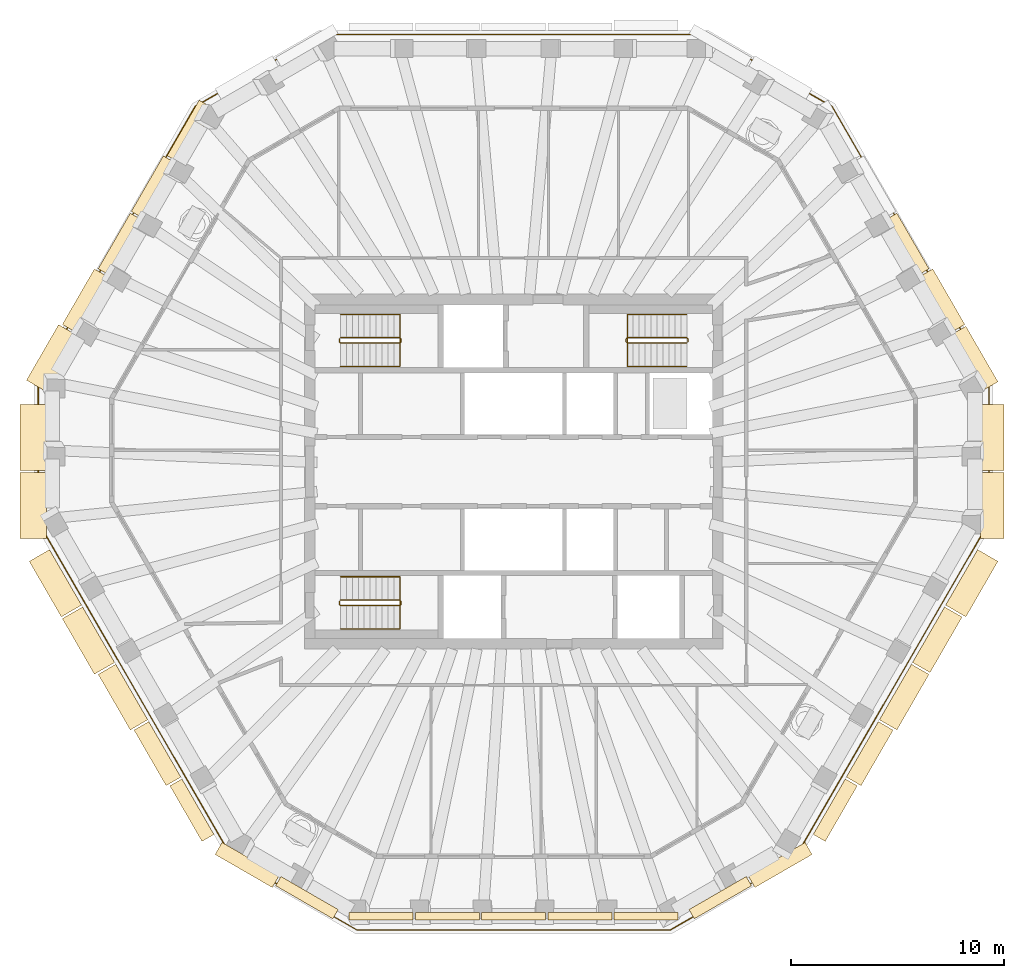
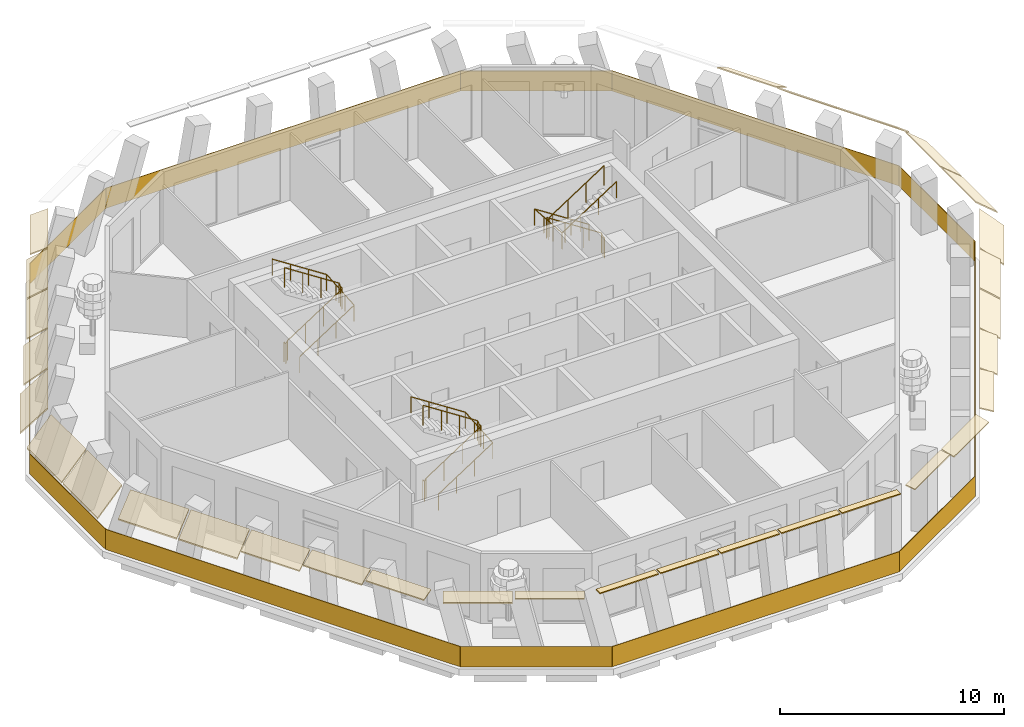
# One storey, part 8 of 11: 31 coverings, 7 railings.
"""IFC4 building model written with IfcOpenShell, lengths in metres."""

import ifcopenshell
import ifcopenshell.guid

model = None  # the IFC model being written
_history = None  # IfcOwnerHistory: only IFC2X3 demands one
_inside = {}  # id of a spatial element -> (the spatial element, [elements in it])
_under = {}  # id of a project, library or spatial element -> (it, [spatial elements below it])
_declared = {}  # id of a project -> (the project, [libraries it declares])
_typed = {}  # id of a type object -> (the type object, [elements of that type])
_made_of = {}  # id of a material, layer set ... -> (it, [elements and type objects made of it])


def new_model(schema):
    """Start an empty IFC model of exactly this schema.

    Asked for "IFC4X3", IfcOpenShell would pick the latest addendum, in which some entities
    have other attributes; the version numbers below select the first issue.
    IFC2X3 requires an IfcOwnerHistory on every rooted entity: one is made here for all.
    """
    global model, _history
    if schema == "IFC4X3":
        model = ifcopenshell.file(schema_version=(4, 3, 0, 0))
    else:
        model = ifcopenshell.file(schema=schema)
    _inside.clear()
    _under.clear()
    _declared.clear()
    _typed.clear()
    _made_of.clear()
    _history = None
    if model.schema == "IFC2X3":
        org = make("IfcOrganization", Name="unknown")
        user = make(
            "IfcPersonAndOrganization",
            ThePerson=make("IfcPerson", FamilyName="unknown"),
            TheOrganization=org,
        )
        app = make(
            "IfcApplication",
            ApplicationDeveloper=org,
            Version="unknown",
            ApplicationFullName="unknown",
            ApplicationIdentifier="unknown",
        )
        _history = make(
            "IfcOwnerHistory",
            OwningUser=user,
            OwningApplication=app,
            ChangeAction="ADDED",
            CreationDate=0,
        )
    return model


def make(cls, **values):
    """One entity of the class cls with the attributes given. An attribute that is None is left unset."""
    return model.create_entity(
        cls, **{name: value for name, value in values.items() if value is not None}
    )


def rooted(cls, **values):
    """An entity with a GlobalId (a new one), such as an element, a storey or a relation."""
    return make(cls, GlobalId=ifcopenshell.guid.new(), OwnerHistory=_history, **values)


def si_unit(unit_type, name, prefix=None):
    """IfcSIUnit, for example si_unit("LENGTHUNIT", "METRE", prefix="MILLI")."""
    return make("IfcSIUnit", UnitType=unit_type, Prefix=prefix, Name=name)


def assignment(units):
    """IfcUnitAssignment: the units of a project."""
    return None if units is None else make("IfcUnitAssignment", Units=units)


def point(xyz):
    """IfcCartesianPoint."""
    return None if xyz is None else make("IfcCartesianPoint", Coordinates=xyz)


def direction(xyz):
    """IfcDirection."""
    return None if xyz is None else make("IfcDirection", DirectionRatios=xyz)


def frame(location, z_axis=None, x_axis=None):
    """IfcAxis2Placement3D, a coordinate frame: its origin and axes. An axis left out is left unset."""
    return make(
        "IfcAxis2Placement3D",
        Location=point(location),
        Axis=direction(z_axis),
        RefDirection=direction(x_axis),
    )


def frame_2d(location, x_axis=None):
    """IfcAxis2Placement2D, a coordinate frame in the plane: its origin and x axis."""
    return make(
        "IfcAxis2Placement2D", Location=point(location), RefDirection=direction(x_axis)
    )


def origin():
    """The frame at (0, 0, 0) with its axes left unset."""
    return frame((0.0, 0.0, 0.0))


def origin_2d():
    """The frame at (0, 0) in the plane with its x axis left unset."""
    return frame_2d((0.0, 0.0))


def place(relative_to, where):
    """IfcLocalPlacement: puts the frame where relative to a parent placement (None: the world)."""
    return make(
        "IfcLocalPlacement", PlacementRelTo=relative_to, RelativePlacement=where
    )


def context(
    kind, dimensions, precision=None, world=None, true_north=None, identifier=None
):
    """IfcGeometricRepresentationContext, for example the 3D "Model" context."""
    return make(
        "IfcGeometricRepresentationContext",
        ContextIdentifier=identifier,
        ContextType=kind,
        CoordinateSpaceDimension=dimensions,
        Precision=precision,
        WorldCoordinateSystem=world,
        TrueNorth=true_north,
    )


def subcontext(parent, identifier, kind, view, scale=None):
    """IfcGeometricRepresentationSubContext, for example "Body" below "Model"."""
    return make(
        "IfcGeometricRepresentationSubContext",
        ContextIdentifier=identifier,
        ContextType=kind,
        ParentContext=parent,
        TargetScale=scale,
        TargetView=view,
    )


def project(units=None, contexts=None):
    """IfcProject with its units and contexts."""
    return rooted(
        "IfcProject",
        Name="project",
        RepresentationContexts=contexts,
        UnitsInContext=assignment(units),
    )


def spatial(cls, under=None, at=None, **own):
    """A site, building, storey or space (cls), placed at a placement, below another one or the project."""
    s = rooted(cls, ObjectPlacement=at, **own)
    if under is not None:
        _under.setdefault(under.id(), (under, []))[1].append(s)
    return s


def polyline(points):
    """IfcPolyline through the points."""
    return make("IfcPolyline", Points=[point(p) for p in points])


def profile(cls, at=None, kind="AREA", **sizes):
    """A parametric profile (cls). Its sizes go by their IFC names, for example OverallWidth=200.0."""
    return make(cls, ProfileType=kind, Position=at, **sizes)


def rectangle(**sizes):
    """IfcRectangleProfileDef."""
    return profile("IfcRectangleProfileDef", **sizes)


def circle(**sizes):
    """IfcCircleProfileDef."""
    return profile("IfcCircleProfileDef", **sizes)


def outline(outer, holes=None, kind="AREA"):
    """IfcArbitraryClosedProfileDef: a profile drawn as a closed curve; with holes, ...WithVoids."""
    if holes is None:
        return make("IfcArbitraryClosedProfileDef", ProfileType=kind, OuterCurve=outer)
    return make(
        "IfcArbitraryProfileDefWithVoids",
        ProfileType=kind,
        OuterCurve=outer,
        InnerCurves=holes,
    )


def extrude(swept, where, along, depth):
    """IfcExtrudedAreaSolid: the profile swept, set in the frame where, extruded along a direction by depth."""
    return make(
        "IfcExtrudedAreaSolid",
        SweptArea=swept,
        Position=where,
        ExtrudedDirection=direction(along),
        Depth=depth,
    )


def shape(context_of_items, identifier, shape_type, items):
    """IfcShapeRepresentation: the items that make up one representation, for example the "Body"."""
    return make(
        "IfcShapeRepresentation",
        ContextOfItems=context_of_items,
        RepresentationIdentifier=identifier,
        RepresentationType=shape_type,
        Items=items,
    )


def material(Name=None, Category=None):
    """IfcMaterial."""
    return make("IfcMaterial", Name=Name, Category=Category)


def layer(
    of_material, thickness, ventilated=None, Name=None, Category=None, Priority=None
):
    """IfcMaterialLayer: one layer of a wall or slab, of a material (None: an air gap)."""
    return make(
        "IfcMaterialLayer",
        Material=of_material,
        LayerThickness=thickness,
        IsVentilated=ventilated,
        Name=Name,
        Category=Category,
        Priority=Priority,
    )


def layer_set(layers, Name=None):
    """IfcMaterialLayerSet."""
    return make("IfcMaterialLayerSet", MaterialLayers=layers, LayerSetName=Name)


def made_of(thing, what):
    """Note that an element or type object is made of a material, layer set ...; save() writes the relation."""
    if what is not None:
        _made_of.setdefault(what.id(), (what, []))[1].append(thing)
    return thing


def type_object(cls, material=None, **own):
    """A type object (cls), such as IfcWallType, which elements share."""
    return made_of(rooted(cls, **own), material)


def element(
    cls,
    number,
    at=None,
    inside=None,
    cuts=None,
    type_object=None,
    material=None,
    context=None,
    identifier="Body",
    shape_type=None,
    held_by="IfcProductDefinitionShape",
    body=None,
    shapes=None,
    **own,
):
    """One element of the class cls, such as IfcWall. Its Tag is "e" and its number.

    at: its placement. inside: the storey or other place that contains it. cuts: it is an
    opening in that element (IfcRelVoidsElement). A single representation is given by context,
    identifier, shape_type and body (its items); several are given by shapes. held_by: the class
    of the entity that holds the representations. save() writes the other relations.
    """
    e = rooted(cls, Tag="e%d" % number, ObjectPlacement=at, **own)
    if body is not None:
        shapes = [shape(context, identifier, shape_type, body)]
    if shapes is not None:
        e.Representation = make(held_by, Representations=shapes)
    if inside is not None:
        _inside.setdefault(inside.id(), (inside, []))[1].append(e)
    if cuts is not None:
        rooted(
            "IfcRelVoidsElement", RelatingBuildingElement=cuts, RelatedOpeningElement=e
        )
    if type_object is not None:
        _typed.setdefault(type_object.id(), (type_object, []))[1].append(e)
    return made_of(e, material)


def aggregate(whole, parts):
    """IfcRelAggregates: a whole, such as a stair, and the parts it consists of."""
    return rooted("IfcRelAggregates", RelatingObject=whole, RelatedObjects=parts)


def save(model, path):
    """Write the relations noted so far, then the file.

    IfcRelAggregates (storeys below a building ...), IfcRelContainedInSpatialStructure (elements
    in a storey), IfcRelDefinesByType, IfcRelAssociatesMaterial and IfcRelDeclares: one each for
    every whole, place, type object, material and project.
    """
    for whole, parts in _under.values():
        aggregate(whole, parts)
    for where, things in _inside.values():
        rooted(
            "IfcRelContainedInSpatialStructure",
            RelatedElements=things,
            RelatingStructure=where,
        )
    for kind, things in _typed.values():
        rooted("IfcRelDefinesByType", RelatedObjects=things, RelatingType=kind)
    for what, things in _made_of.values():
        rooted("IfcRelAssociatesMaterial", RelatedObjects=things, RelatingMaterial=what)
    for by, libraries in _declared.values():
        rooted("IfcRelDeclares", RelatingContext=by, RelatedDefinitions=libraries)
    model.write(path)


model = new_model("IFC4")

# Units and contexts
model_context = context("Model", 3, precision=1e-05, world=origin(), true_north=direction((0.0, 1.0)))
body_context = subcontext(model_context, "Body", "Model", "MODEL_VIEW")
ifc_project = project(units=[si_unit("LENGTHUNIT", "METRE"), si_unit("AREAUNIT", "SQUARE_METRE"), si_unit("VOLUMEUNIT", "CUBIC_METRE"), si_unit("PLANEANGLEUNIT", "RADIAN"), si_unit("MASSUNIT", "GRAM", prefix="KILO")], contexts=[model_context])

# Site, building, storey
site_placement = place(None, origin())
site = spatial("IfcSite", under=ifc_project, at=site_placement, CompositionType="ELEMENT")
building_placement = place(site_placement, origin())
building = spatial("IfcBuilding", under=site, at=building_placement, Name="Frailejon Research Tower", CompositionType="ELEMENT")
storey_placement = place(building_placement, frame((0.0, 0.0, 340.60009765625)))
storey = spatial("IfcBuildingStorey", under=building, at=storey_placement, Name="L76", CompositionType="ELEMENT", Elevation=340.60009765625)

# Coverings
ifc_material_1 = material(Name="Precast concrete C50/60", Category="concrete")
ifc_layer_1 = layer(ifc_material_1, 0.06005859375)
ifc_layer_set_1 = layer_set([ifc_layer_1], Name="Brim blade depth 1100")
covering_type_1 = type_object("IfcCoveringType", Name="Brim blade depth 1100", PredefinedType="CLADDING", material=ifc_layer_set_1)
for number, where, z_axis, x_axis, name in (
    (1, (21.9775390625, -0.050048828125, 3.849853515625), (0.0, -1.0, 0.0), (1.0, 0.0, 0.0), "Brim blade L76"),
    (2, (21.9775390625, 3.156005859375, 3.849853515625), (0.0, -1.0, 0.0), (1.0, 0.0, 0.0), "Brim blade L76"),
):
    element("IfcCovering", number, at=place(storey_placement, frame(where, z_axis=z_axis, x_axis=x_axis)), inside=storey, type_object=covering_type_1, Name=name, PredefinedType="CLADDING", context=body_context, shape_type="SweptSolid", body=[
        extrude(outline(polyline([(0.0, -0.078369140625), (1.10009765625, -1.001220703125), (1.10009765625, -0.923095703125), (0.0, 0.0), (0.0, -0.078369140625)])), origin(), (0.0, 0.0, 1.0), 3.106201171875),
    ])
for number, where, z_axis, x_axis, name in (
    (3, (20.331298828125, 6.285400390625, 3.849853515625), (0.499999433811, -0.866025730673, 0.0), (0.866025730673, 0.499999433811, 0.0), "Brim blade L76"),
    (4, (18.773681640625, 8.98291015625, 3.849853515625), (0.500009610163, -0.866019855283, 0.0), (0.866019855283, 0.500009610163, 0.0), "Brim blade L76"),
    (5, (-20.28125, 6.371826171875, 3.849853515625), (0.500009610163, 0.866019855283, 0.0), (-0.866019855283, 0.500009610163, 0.0), "Brim blade L76"),
    (6, (-20.331298828125, -6.285400390625, 3.849853515625), (-0.499999433811, 0.866025730673, 0.0), (-0.866025730673, -0.499999433811, 0.0), "Brim blade L76"),
    (7, (-18.773681640625, -8.98291015625, 3.849853515625), (-0.500009610163, 0.866019855283, 0.0), (-0.866019855283, -0.500009610163, 0.0), "Brim blade L76"),
    (8, (21.838623046875, -3.67431640625, 3.849853515625), (-0.499999433811, -0.866025730673, 0.0), (0.866025730673, -0.499999433811, 0.0), "Brim blade L76"),
):
    element("IfcCovering", number, at=place(storey_placement, frame(where, z_axis=z_axis, x_axis=x_axis)), inside=storey, type_object=covering_type_1, Name=name, PredefinedType="CLADDING", context=body_context, shape_type="SweptSolid", body=[
        extrude(outline(polyline([(0.0, -0.078369140625), (1.10009765625, -1.001220703125), (1.10009765625, -0.923095703125), (0.0, 0.0), (0.0, -0.078369140625)])), origin(), (0.0, 0.0, 1.0), 3.014892578125),
    ])
ifc_material_2 = material(Name="Precast concrete C50/60", Category="concrete")
ifc_layer_2 = layer(ifc_material_2, 0.06005859375)
ifc_layer_set_2 = layer_set([ifc_layer_2], Name="Brim blade depth 1250")
covering_type_2 = type_object("IfcCoveringType", Name="Brim blade depth 1250", PredefinedType="CLADDING", material=ifc_layer_set_2)
covering_1_placement = place(storey_placement, frame((-21.838623046875, 3.67431640625, 3.849853515625), z_axis=(0.499999433811, 0.866025730673, 0.0), x_axis=(-0.866025730673, 0.499999433811, 0.0)))
element("IfcCovering", 9, at=covering_1_placement, inside=storey, type_object=covering_type_2, Name="Brim blade L76", PredefinedType="CLADDING", context=body_context, shape_type="SweptSolid", body=[
    extrude(outline(polyline([(0.0, -0.0888671875), (1.25, -1.452880859375), (1.25, -1.364013671875), (0.0, 0.0), (0.0, -0.0888671875)])), origin(), (0.0, 0.0, 1.0), 3.014892578125),
])
for number, where, z_axis, x_axis, name in (
    (10, (-21.9775390625, 0.050048828125, 3.849853515625), (0.0, 1.0, 0.0), (-1.0, 0.0, 0.0), "Brim blade L76"),
    (11, (-21.9775390625, -3.156005859375, 3.849853515625), (0.0, 1.0, 0.0), (-1.0, 0.0, 0.0), "Brim blade L76"),
):
    element("IfcCovering", number, at=place(storey_placement, frame(where, z_axis=z_axis, x_axis=x_axis)), inside=storey, type_object=covering_type_2, Name=name, PredefinedType="CLADDING", context=body_context, shape_type="SweptSolid", body=[
        extrude(outline(polyline([(0.0, -0.0888671875), (1.25, -1.452880859375), (1.25, -1.364013671875), (0.0, 0.0), (0.0, -0.0888671875)])), origin(), (0.0, 0.0, 1.0), 3.106201171875),
    ])
ifc_material_3 = material(Name="Precast concrete C50/60", Category="concrete")
ifc_layer_3 = layer(ifc_material_3, 0.06005859375)
ifc_layer_set_3 = layer_set([ifc_layer_3], Name="Brim blade depth 350")
covering_type_3 = type_object("IfcCoveringType", Name="Brim blade depth 350", PredefinedType="CLADDING", material=ifc_layer_set_3)
for number, where, z_axis, x_axis, name in (
    (12, (-4.722412109375, -20.75, 3.849853515625), (-1.0, 0.0, 0.0), (0.0, -1.0, 0.0), "Brim blade L76"),
    (13, (-1.607421875, -20.75, 3.849853515625), (-1.0, 0.0, 0.0), (0.0, -1.0, 0.0), "Brim blade L76"),
    (14, (1.50732421875, -20.75, 3.849853515625), (-1.0, 0.0, 0.0), (0.0, -1.0, 0.0), "Brim blade L76"),
    (15, (4.622314453125, -20.75, 3.849853515625), (-1.0, 0.0, 0.0), (0.0, -1.0, 0.0), "Brim blade L76"),
    (16, (7.7373046875, -20.75, 3.849853515625), (-1.0, 0.0, 0.0), (0.0, -1.0, 0.0), "Brim blade L76"),
):
    element("IfcCovering", number, at=place(storey_placement, frame(where, z_axis=z_axis, x_axis=x_axis)), inside=storey, type_object=covering_type_3, Name=name, PredefinedType="CLADDING", context=body_context, shape_type="SweptSolid", body=[
        extrude(outline(polyline([(0.0, -0.06005859375), (0.35009765625, -0.06005859375), (0.35009765625, 0.0), (0.0, 0.0), (0.0, -0.06005859375)])), origin(), (0.0, 0.0, 1.0), 3.014892578125),
    ])
ifc_material_4 = material(Name="Precast concrete C50/60", Category="concrete")
ifc_layer_4 = layer(ifc_material_4, 0.06005859375)
ifc_layer_set_4 = layer_set([ifc_layer_4], Name="Brim blade depth 500")
covering_type_4 = type_object("IfcCoveringType", Name="Brim blade depth 500", PredefinedType="CLADDING", material=ifc_layer_set_4)
for number, where, z_axis, x_axis, name in (
    (17, (-8.255615234375, -20.611083984375, 3.849853515625), (-0.866034959906, 0.499983447946, 0.0), (-0.499983447946, -0.866034959906, 0.0), "Brim blade L76"),
    (18, (10.945556640625, -19.05810546875, 3.849853515625), (-0.866034959906, -0.499983447946, 0.0), (0.499983447946, -0.866034959906, 0.0), "Brim blade L76"),
):
    element("IfcCovering", number, at=place(storey_placement, frame(where, z_axis=z_axis, x_axis=x_axis)), inside=storey, type_object=covering_type_4, Name=name, PredefinedType="CLADDING", context=body_context, shape_type="SweptSolid", body=[
        extrude(outline(polyline([(0.0, -0.060546875), (0.5, -0.130859375), (0.5, -0.0703125), (0.0, 0.0), (0.0, -0.060546875)])), origin(), (0.0, 0.0, 1.0), 3.106201171875),
    ])
ifc_material_5 = material(Name="Precast concrete C50/60", Category="concrete")
ifc_layer_5 = layer(ifc_material_5, 0.06005859375)
ifc_layer_set_5 = layer_set([ifc_layer_5], Name="Brim blade depth 650")
covering_type_5 = type_object("IfcCoveringType", Name="Brim blade depth 650", PredefinedType="CLADDING", material=ifc_layer_set_5)
covering_2_placement = place(storey_placement, frame((-14.101318359375, -17.07568359375, 3.849853515625), z_axis=(-0.499999433811, 0.866025730673, 0.0), x_axis=(-0.866025730673, -0.499999433811, 0.0)))
element("IfcCovering", 19, at=covering_2_placement, inside=storey, type_object=covering_type_5, Name="Brim blade L76", PredefinedType="CLADDING", context=body_context, shape_type="SweptSolid", body=[
    extrude(outline(polyline([(0.0, -0.0625), (0.64990234375, -0.248779296875), (0.64990234375, -0.186279296875), (0.0, 0.0), (0.0, -0.0625)])), origin(), (0.0, 0.0, 1.0), 3.014892578125),
])
for number, where, z_axis, x_axis, name in (
    (20, (-11.031982421875, -19.008056640625, 3.849853515625), (-0.86601365609, 0.500020347052, 0.0), (-0.500020347052, -0.86601365609, 0.0), "Brim blade L76"),
    (21, (13.721923828125, -17.455078125, 3.849853515625), (-0.86601365609, -0.500020347052, 0.0), (0.500020347052, -0.86601365609, 0.0), "Brim blade L76"),
):
    element("IfcCovering", number, at=place(storey_placement, frame(where, z_axis=z_axis, x_axis=x_axis)), inside=storey, type_object=covering_type_5, Name=name, PredefinedType="CLADDING", context=body_context, shape_type="SweptSolid", body=[
        extrude(outline(polyline([(0.0, -0.0625), (0.64990234375, -0.248779296875), (0.64990234375, -0.186279296875), (0.0, 0.0), (0.0, -0.0625)])), origin(), (0.0, 0.0, 1.0), 3.106201171875),
    ])
covering_3_placement = place(storey_placement, frame((15.60888671875, -14.464599609375, 3.849853515625), z_axis=(-0.499999433811, -0.866025730673, 0.0), x_axis=(0.866025730673, -0.499999433811, 0.0)))
element("IfcCovering", 22, at=covering_3_placement, inside=storey, type_object=covering_type_5, Name="Brim blade L76", PredefinedType="CLADDING", context=body_context, shape_type="SweptSolid", body=[
    extrude(outline(polyline([(0.0, -0.0625), (0.64990234375, -0.248779296875), (0.64990234375, -0.186279296875), (0.0, 0.0), (0.0, -0.0625)])), origin(), (0.0, 0.0, 1.0), 3.014892578125),
])
ifc_material_6 = material(Name="Precast concrete C50/60", Category="concrete")
ifc_layer_6 = layer(ifc_material_6, 0.06005859375)
ifc_layer_set_6 = layer_set([ifc_layer_6], Name="Brim blade depth 800")
covering_type_6 = type_object("IfcCoveringType", Name="Brim blade depth 800", PredefinedType="CLADDING", material=ifc_layer_set_6)
for number, where, z_axis, x_axis, name in (
    (23, (-15.60888671875, 14.464599609375, 3.849853515625), (0.499999433811, 0.866025730673, 0.0), (-0.866025730673, 0.499999433811, 0.0), "Brim blade L76"),
    (24, (-15.65869140625, -14.378173828125, 3.849853515625), (-0.500009610163, 0.866019855283, 0.0), (-0.866019855283, -0.500009610163, 0.0), "Brim blade L76"),
    (25, (17.166259765625, -11.76708984375, 3.849853515625), (-0.500009610163, -0.866019855283, 0.0), (0.866019855283, -0.500009610163, 0.0), "Brim blade L76"),
):
    element("IfcCovering", number, at=place(storey_placement, frame(where, z_axis=z_axis, x_axis=x_axis)), inside=storey, type_object=covering_type_6, Name=name, PredefinedType="CLADDING", context=body_context, shape_type="SweptSolid", body=[
        extrude(outline(polyline([(0.0, -0.065673828125), (0.800048828125, -0.421875), (0.800048828125, -0.356201171875), (0.0, 0.0), (0.0, -0.065673828125)])), origin(), (0.0, 0.0, 1.0), 3.014892578125),
    ])
ifc_material_7 = material(Name="Precast concrete C50/60", Category="concrete")
ifc_layer_7 = layer(ifc_material_7, 0.06005859375)
ifc_layer_set_7 = layer_set([ifc_layer_7], Name="Brim blade depth 950")
covering_type_7 = type_object("IfcCoveringType", Name="Brim blade depth 950", PredefinedType="CLADDING", material=ifc_layer_set_7)
for number, where, z_axis, x_axis, name in (
    (26, (17.21630859375, 11.680419921875, 3.849853515625), (0.499985532315, -0.866033756545, 0.0), (0.866033756545, 0.499985532315, 0.0), "Brim blade L76"),
    (27, (-17.166259765625, 11.76708984375, 3.849853515625), (0.500009610163, 0.866019855283, 0.0), (-0.866019855283, 0.500009610163, 0.0), "Brim blade L76"),
    (28, (-18.7236328125, 9.069580078125, 3.849853515625), (0.499985532315, 0.866033756545, 0.0), (-0.866033756545, 0.499985532315, 0.0), "Brim blade L76"),
    (29, (-17.21630859375, -11.680419921875, 3.849853515625), (-0.499985532315, 0.866033756545, 0.0), (-0.866033756545, -0.499985532315, 0.0), "Brim blade L76"),
    (30, (18.7236328125, -9.069580078125, 3.849853515625), (-0.499985532315, -0.866033756545, 0.0), (0.866033756545, -0.499985532315, 0.0), "Brim blade L76"),
    (31, (20.28125, -6.371826171875, 3.849853515625), (-0.500009610163, -0.866019855283, 0.0), (0.866019855283, -0.500009610163, 0.0), "Brim blade L76"),
):
    element("IfcCovering", number, at=place(storey_placement, frame(where, z_axis=z_axis, x_axis=x_axis)), inside=storey, type_object=covering_type_7, Name=name, PredefinedType="CLADDING", context=body_context, shape_type="SweptSolid", body=[
        extrude(outline(polyline([(0.0, -0.07080078125), (0.949951171875, -0.664306640625), (0.949951171875, -0.593505859375), (0.0, 0.0), (0.0, -0.07080078125)])), origin(), (0.0, 0.0, 1.0), 3.014892578125),
    ])

# Railings
ifc_material_8 = material(Name="Laminated glass balustrade", Category="glass")
railing_type_1 = type_object("IfcRailingType", Name="Glass guard 1100", PredefinedType="GUARDRAIL", material=ifc_material_8)
railing_1_placement = place(storey_placement, frame((22.369140625, -2.377685546875, 0.0)))
element("IfcRailing", 32, at=railing_1_placement, inside=storey, type_object=railing_type_1, Name="Loggia guard L76", PredefinedType="GUARDRAIL", context=body_context, shape_type="SweptSolid", body=[
    extrude(rectangle(XDim=6.7666015625, YDim=0.030029296875, at=origin_2d()), frame((0.0, 3.38330078125, 0.0), z_axis=(0.0, 0.0, 1.0), x_axis=(0.0, 1.0, 0.0)), (0.0, 0.0, 1.0), 1.10009765625),
    extrude(rectangle(XDim=14.767333984375, YDim=0.030029296875, at=origin_2d()), frame((-3.69189453125, 13.1611328125, 0.0), z_axis=(0.0, 0.0, 1.0), x_axis=(-0.499988636, 0.866031964693, 0.0)), (0.0, 0.0, 1.0), 1.10009765625),
    extrude(rectangle(XDim=6.7666015625, YDim=0.030029296875, at=origin_2d()), frame((-10.3134765625, 21.2470703125, 0.0), z_axis=(0.0, 0.0, 1.0), x_axis=(-0.866043190618, 0.499969191034, 0.0)), (0.0, 0.0, 1.0), 1.10009765625),
    extrude(rectangle(XDim=18.2509765625, YDim=0.030029296875, at=origin_2d()), frame((-22.369140625, 22.938720703125, 0.0), z_axis=(0.0, 0.0, 1.0), x_axis=(-1.0, 0.0, 0.0)), (0.0, 0.0, 1.0), 1.10009765625),
    extrude(rectangle(XDim=6.7666015625, YDim=0.030029296875, at=origin_2d()), frame((-34.4248046875, 21.2470703125, 0.0), z_axis=(0.0, 0.0, 1.0), x_axis=(-0.866043190618, -0.499969191034, 0.0)), (0.0, 0.0, 1.0), 1.10009765625),
    extrude(rectangle(XDim=14.767333984375, YDim=0.030029296875, at=origin_2d()), frame((-41.04638671875, 13.1611328125, 0.0), z_axis=(0.0, 0.0, 1.0), x_axis=(-0.499988636, -0.866031964693, 0.0)), (0.0, 0.0, 1.0), 1.10009765625),
    extrude(rectangle(XDim=6.7666015625, YDim=0.030029296875, at=origin_2d()), frame((-44.73828125, 3.38330078125, 0.0), z_axis=(0.0, 0.0, 1.0), x_axis=(0.0, -1.0, 0.0)), (0.0, 0.0, 1.0), 1.10009765625),
    extrude(rectangle(XDim=18.2509765625, YDim=0.030029296875, at=origin_2d()), frame((-40.175537109375, -7.90283203125, 0.0), z_axis=(0.0, 0.0, 1.0), x_axis=(0.499997654603, -0.866026757896, 0.0)), (0.0, 0.0, 1.0), 1.10009765625),
    extrude(rectangle(XDim=6.766357421875, YDim=0.030029296875, at=origin_2d()), frame((-32.682861328125, -17.49755859375, 0.0), z_axis=(0.0, 0.0, 1.0), x_axis=(0.866018547471, -0.500011875296, 0.0)), (0.0, 0.0, 1.0), 1.10009765625),
    extrude(rectangle(XDim=14.767578125, YDim=0.030029296875, at=origin_2d()), frame((-22.369140625, -19.189208984375, 0.0), z_axis=(0.0, 0.0, 1.0), x_axis=(1.0, 0.0, 0.0)), (0.0, 0.0, 1.0), 1.10009765625),
    extrude(rectangle(XDim=6.766357421875, YDim=0.030029296875, at=origin_2d()), frame((-12.055419921875, -17.49755859375, 0.0), z_axis=(0.0, 0.0, 1.0), x_axis=(0.866018547471, 0.500011875296, 0.0)), (0.0, 0.0, 1.0), 1.10009765625),
    extrude(rectangle(XDim=18.18115234375, YDim=0.030029296875, at=origin_2d()), frame((-4.580078125, -7.93310546875, 0.0), z_axis=(0.0, 0.0, 1.0), x_axis=(0.499999487269, 0.86602569981, 0.0)), (0.0, 0.0, 1.0), 1.10009765625),
])
ifc_material_9 = material(Name="Stainless steel", Category="steel")
railing_type_2 = type_object("IfcRailingType", Name="Stair guard 1100", PredefinedType="GUARDRAIL", material=ifc_material_9)
railing_2_placement = place(storey_placement, frame((-8.199951171875, 6.25, 0.0)))
element("IfcRailing", 33, at=railing_2_placement, inside=storey, type_object=railing_type_2, Name="L76 ST1 stair guard 1", PredefinedType="GUARDRAIL", context=body_context, shape_type="SweptSolid", body=[
    extrude(circle(Radius=0.02392578125, at=origin_2d()), frame((0.0, 0.0, 1.076171875), z_axis=(0.0, -1.0, 0.0), x_axis=(1.0, 0.0, 0.0)), (0.0, 0.0, 1.0), 0.14990234375),
    extrude(circle(Radius=0.02392578125, at=origin_2d()), frame((0.0, -0.14990234375, 1.076171875), z_axis=(0.256734642926, -0.256734642926, 0.931758899203), x_axis=(0.707106781187, 0.707106781187, 0.0)), (0.0, 0.0, 1.0), 0.19482421875),
    extrude(circle(Radius=0.02392578125, at=origin_2d()), frame((0.050048828125, -0.199951171875, 1.2578125), z_axis=(0.838650734948, 0.0, 0.544669573936), x_axis=(0.0, 1.0, 0.0)), (0.0, 0.0, 1.0), 3.33837890625),
    extrude(circle(Radius=0.02392578125, at=origin_2d()), frame((2.849853515625, -0.199951171875, 3.076171875), z_axis=(0.707106781187, 0.707106781187, 0.0), x_axis=(-0.707106781187, 0.707106781187, 0.0)), (0.0, 0.0, 1.0), 0.07080078125),
    extrude(circle(Radius=0.02392578125, at=origin_2d()), frame((2.89990234375, -0.14990234375, 3.076171875), z_axis=(0.0, 1.0, 0.0), x_axis=(-1.0, 0.0, 0.0)), (0.0, 0.0, 1.0), 0.14990234375),
    extrude(circle(Radius=0.02392578125, at=origin_2d()), frame((2.89990234375, 0.0, 3.076171875), z_axis=(-0.256734642926, 0.256734642926, 0.931758899203), x_axis=(-0.707106781187, -0.707106781187, 0.0)), (0.0, 0.0, 1.0), 0.19482421875),
    extrude(circle(Radius=0.02392578125, at=origin_2d()), frame((2.849853515625, 0.050048828125, 3.2578125), z_axis=(-0.838650734948, 0.0, 0.544669573936), x_axis=(0.0, -1.0, 0.0)), (0.0, 0.0, 1.0), 3.33837890625),
    extrude(circle(Radius=0.02099609375, at=origin_2d()), origin(), (0.0, 0.0, 1.0), 1.052001953125),
    extrude(circle(Radius=0.02099609375, at=origin_2d()), frame((0.0, -0.14990234375, 0.0)), (0.0, 0.0, 1.0), 1.052001953125),
    extrude(circle(Radius=0.02099609375, at=origin_2d()), frame((0.050048828125, -0.199951171875, 0.181640625)), (0.0, 0.0, 1.0), 1.052001953125),
    extrude(circle(Radius=0.02099609375, at=origin_2d()), frame((0.9833984375, -0.199951171875, 0.787841796875)), (0.0, 0.0, 1.0), 1.052001953125),
    extrude(circle(Radius=0.02099609375, at=origin_2d()), frame((1.91650390625, -0.199951171875, 1.393798828125)), (0.0, 0.0, 1.0), 1.052001953125),
    extrude(circle(Radius=0.02099609375, at=origin_2d()), frame((2.849853515625, -0.199951171875, 2.0)), (0.0, 0.0, 1.0), 1.052001953125),
    extrude(circle(Radius=0.02099609375, at=origin_2d()), frame((2.89990234375, -0.14990234375, 2.0)), (0.0, 0.0, 1.0), 1.052001953125),
    extrude(circle(Radius=0.02099609375, at=origin_2d()), frame((2.89990234375, 0.0, 2.0)), (0.0, 0.0, 1.0), 1.052001953125),
    extrude(circle(Radius=0.02099609375, at=origin_2d()), frame((2.849853515625, 0.050048828125, 2.181640625)), (0.0, 0.0, 1.0), 1.052001953125),
    extrude(circle(Radius=0.02099609375, at=origin_2d()), frame((1.91650390625, 0.050048828125, 2.787841796875)), (0.0, 0.0, 1.0), 1.052001953125),
    extrude(circle(Radius=0.02099609375, at=origin_2d()), frame((0.9833984375, 0.050048828125, 3.393798828125)), (0.0, 0.0, 1.0), 1.052001953125),
    extrude(circle(Radius=0.02099609375, at=origin_2d()), frame((0.050048828125, 0.050048828125, 4.0)), (0.0, 0.0, 1.0), 1.052001953125),
])
railing_3_placement = place(storey_placement, frame((-8.199951171875, -6.10009765625, 0.0)))
element("IfcRailing", 34, at=railing_3_placement, inside=storey, type_object=railing_type_2, Name="L76 ST2 stair guard 1", PredefinedType="GUARDRAIL", context=body_context, shape_type="SweptSolid", body=[
    extrude(circle(Radius=0.02392578125, at=origin_2d()), frame((0.0, 0.0, 1.076171875), z_axis=(0.0, -1.0, 0.0), x_axis=(1.0, 0.0, 0.0)), (0.0, 0.0, 1.0), 0.14990234375),
    extrude(circle(Radius=0.02392578125, at=origin_2d()), frame((0.0, -0.14990234375, 1.076171875), z_axis=(0.256734642926, -0.256734642926, 0.931758899203), x_axis=(0.707106781187, 0.707106781187, 0.0)), (0.0, 0.0, 1.0), 0.19482421875),
    extrude(circle(Radius=0.02392578125, at=origin_2d()), frame((0.050048828125, -0.199951171875, 1.2578125), z_axis=(0.838650734948, 0.0, 0.544669573936), x_axis=(0.0, 1.0, 0.0)), (0.0, 0.0, 1.0), 3.33837890625),
    extrude(circle(Radius=0.02392578125, at=origin_2d()), frame((2.849853515625, -0.199951171875, 3.076171875), z_axis=(0.707106781187, 0.707106781187, 0.0), x_axis=(-0.707106781187, 0.707106781187, 0.0)), (0.0, 0.0, 1.0), 0.07080078125),
    extrude(circle(Radius=0.02392578125, at=origin_2d()), frame((2.89990234375, -0.14990234375, 3.076171875), z_axis=(0.0, 1.0, 0.0), x_axis=(-1.0, 0.0, 0.0)), (0.0, 0.0, 1.0), 0.14990234375),
    extrude(circle(Radius=0.02392578125, at=origin_2d()), frame((2.89990234375, 0.0, 3.076171875), z_axis=(-0.256734642926, 0.256734642926, 0.931758899203), x_axis=(-0.707106781187, -0.707106781187, 0.0)), (0.0, 0.0, 1.0), 0.19482421875),
    extrude(circle(Radius=0.02392578125, at=origin_2d()), frame((2.849853515625, 0.050048828125, 3.2578125), z_axis=(-0.838650734948, 0.0, 0.544669573936), x_axis=(0.0, -1.0, 0.0)), (0.0, 0.0, 1.0), 3.33837890625),
    extrude(circle(Radius=0.02099609375, at=origin_2d()), origin(), (0.0, 0.0, 1.0), 1.052001953125),
    extrude(circle(Radius=0.02099609375, at=origin_2d()), frame((0.0, -0.14990234375, 0.0)), (0.0, 0.0, 1.0), 1.052001953125),
    extrude(circle(Radius=0.02099609375, at=origin_2d()), frame((0.050048828125, -0.199951171875, 0.181640625)), (0.0, 0.0, 1.0), 1.052001953125),
    extrude(circle(Radius=0.02099609375, at=origin_2d()), frame((0.9833984375, -0.199951171875, 0.787841796875)), (0.0, 0.0, 1.0), 1.052001953125),
    extrude(circle(Radius=0.02099609375, at=origin_2d()), frame((1.91650390625, -0.199951171875, 1.393798828125)), (0.0, 0.0, 1.0), 1.052001953125),
    extrude(circle(Radius=0.02099609375, at=origin_2d()), frame((2.849853515625, -0.199951171875, 2.0)), (0.0, 0.0, 1.0), 1.052001953125),
    extrude(circle(Radius=0.02099609375, at=origin_2d()), frame((2.89990234375, -0.14990234375, 2.0)), (0.0, 0.0, 1.0), 1.052001953125),
    extrude(circle(Radius=0.02099609375, at=origin_2d()), frame((2.89990234375, 0.0, 2.0)), (0.0, 0.0, 1.0), 1.052001953125),
    extrude(circle(Radius=0.02099609375, at=origin_2d()), frame((2.849853515625, 0.050048828125, 2.181640625)), (0.0, 0.0, 1.0), 1.052001953125),
    extrude(circle(Radius=0.02099609375, at=origin_2d()), frame((1.91650390625, 0.050048828125, 2.787841796875)), (0.0, 0.0, 1.0), 1.052001953125),
    extrude(circle(Radius=0.02099609375, at=origin_2d()), frame((0.9833984375, 0.050048828125, 3.393798828125)), (0.0, 0.0, 1.0), 1.052001953125),
    extrude(circle(Radius=0.02099609375, at=origin_2d()), frame((0.050048828125, 0.050048828125, 4.0)), (0.0, 0.0, 1.0), 1.052001953125),
])
railing_4_placement = place(storey_placement, frame((8.199951171875, 6.10009765625, 0.0)))
element("IfcRailing", 35, at=railing_4_placement, inside=storey, type_object=railing_type_2, Name="L76 ST3 stair guard 1", PredefinedType="GUARDRAIL", context=body_context, shape_type="SweptSolid", body=[
    extrude(circle(Radius=0.02392578125, at=origin_2d()), frame((0.0, 0.0, 1.076171875), z_axis=(0.0, 1.0, 0.0), x_axis=(-1.0, 0.0, 0.0)), (0.0, 0.0, 1.0), 0.14990234375),
    extrude(circle(Radius=0.02392578125, at=origin_2d()), frame((0.0, 0.14990234375, 1.076171875), z_axis=(-0.256734642926, 0.256734642926, 0.931758899203), x_axis=(-0.707106781187, -0.707106781187, 0.0)), (0.0, 0.0, 1.0), 0.19482421875),
    extrude(circle(Radius=0.02392578125, at=origin_2d()), frame((-0.050048828125, 0.199951171875, 1.2578125), z_axis=(-0.838650734948, 0.0, 0.544669573936), x_axis=(0.0, -1.0, 0.0)), (0.0, 0.0, 1.0), 3.33837890625),
    extrude(circle(Radius=0.02392578125, at=origin_2d()), frame((-2.849853515625, 0.199951171875, 3.076171875), z_axis=(-0.707106781187, -0.707106781187, 0.0), x_axis=(0.707106781187, -0.707106781187, 0.0)), (0.0, 0.0, 1.0), 0.07080078125),
    extrude(circle(Radius=0.02392578125, at=origin_2d()), frame((-2.89990234375, 0.14990234375, 3.076171875), z_axis=(0.0, -1.0, 0.0), x_axis=(1.0, 0.0, 0.0)), (0.0, 0.0, 1.0), 0.14990234375),
    extrude(circle(Radius=0.02392578125, at=origin_2d()), frame((-2.89990234375, 0.0, 3.076171875), z_axis=(0.256734642926, -0.256734642926, 0.931758899203), x_axis=(0.707106781187, 0.707106781187, 0.0)), (0.0, 0.0, 1.0), 0.19482421875),
    extrude(circle(Radius=0.02392578125, at=origin_2d()), frame((-2.849853515625, -0.050048828125, 3.2578125), z_axis=(0.838650734948, 0.0, 0.544669573936), x_axis=(0.0, 1.0, 0.0)), (0.0, 0.0, 1.0), 3.33837890625),
    extrude(circle(Radius=0.02099609375, at=origin_2d()), origin(), (0.0, 0.0, 1.0), 1.052001953125),
    extrude(circle(Radius=0.02099609375, at=origin_2d()), frame((0.0, 0.14990234375, 0.0)), (0.0, 0.0, 1.0), 1.052001953125),
    extrude(circle(Radius=0.02099609375, at=origin_2d()), frame((-0.050048828125, 0.199951171875, 0.181640625)), (0.0, 0.0, 1.0), 1.052001953125),
    extrude(circle(Radius=0.02099609375, at=origin_2d()), frame((-0.9833984375, 0.199951171875, 0.787841796875)), (0.0, 0.0, 1.0), 1.052001953125),
    extrude(circle(Radius=0.02099609375, at=origin_2d()), frame((-1.91650390625, 0.199951171875, 1.393798828125)), (0.0, 0.0, 1.0), 1.052001953125),
    extrude(circle(Radius=0.02099609375, at=origin_2d()), frame((-2.849853515625, 0.199951171875, 2.0)), (0.0, 0.0, 1.0), 1.052001953125),
    extrude(circle(Radius=0.02099609375, at=origin_2d()), frame((-2.89990234375, 0.14990234375, 2.0)), (0.0, 0.0, 1.0), 1.052001953125),
    extrude(circle(Radius=0.02099609375, at=origin_2d()), frame((-2.89990234375, 0.0, 2.0)), (0.0, 0.0, 1.0), 1.052001953125),
    extrude(circle(Radius=0.02099609375, at=origin_2d()), frame((-2.849853515625, -0.050048828125, 2.181640625)), (0.0, 0.0, 1.0), 1.052001953125),
    extrude(circle(Radius=0.02099609375, at=origin_2d()), frame((-1.91650390625, -0.050048828125, 2.787841796875)), (0.0, 0.0, 1.0), 1.052001953125),
    extrude(circle(Radius=0.02099609375, at=origin_2d()), frame((-0.9833984375, -0.050048828125, 3.393798828125)), (0.0, 0.0, 1.0), 1.052001953125),
    extrude(circle(Radius=0.02099609375, at=origin_2d()), frame((-0.050048828125, -0.050048828125, 4.0)), (0.0, 0.0, 1.0), 1.052001953125),
])
ifc_material_10 = material(Name="Stainless steel", Category="steel")
railing_type_3 = type_object("IfcRailingType", Name="Stair handrail 900", PredefinedType="HANDRAIL", material=ifc_material_10)
railing_5_placement = place(storey_placement, frame((-8.14990234375, 4.949951171875, 0.181640625)))
element("IfcRailing", 36, at=railing_5_placement, inside=storey, type_object=railing_type_3, Name="L76 ST1 stair handrail 1", PredefinedType="HANDRAIL", context=body_context, shape_type="SweptSolid", body=[
    extrude(circle(Radius=0.02392578125, at=origin_2d()), frame((0.0, 0.0, 0.8759765625), z_axis=(0.838650734948, 0.0, 0.544669573936), x_axis=(0.0, 1.0, 0.0)), (0.0, 0.0, 1.0), 3.33837890625),
    extrude(circle(Radius=0.02392578125, at=origin_2d()), frame((2.7998046875, 0.0, 2.6943359375), z_axis=(0.0, 0.997262871482, 0.073937576122), x_axis=(-1.0, 0.0, 0.0)), (0.0, 0.0, 1.0), 2.456787109375),
    extrude(circle(Radius=0.02392578125, at=origin_2d()), frame((2.7998046875, 2.449951171875, 2.8759765625), z_axis=(-0.838650734948, 0.0, 0.544669573936), x_axis=(0.0, -1.0, 0.0)), (0.0, 0.0, 1.0), 3.33837890625),
    extrude(circle(Radius=0.02099609375, at=origin_2d()), origin(), (0.0, 0.0, 1.0), 0.851806640625),
    extrude(circle(Radius=0.02099609375, at=origin_2d()), frame((0.933349609375, 0.0, 0.606201171875)), (0.0, 0.0, 1.0), 0.851806640625),
    extrude(circle(Radius=0.02099609375, at=origin_2d()), frame((1.866455078125, 0.0, 1.212158203125)), (0.0, 0.0, 1.0), 0.851806640625),
    extrude(circle(Radius=0.02099609375, at=origin_2d()), frame((2.7998046875, 0.0, 1.818359375)), (0.0, 0.0, 1.0), 0.851806640625),
    extrude(circle(Radius=0.02099609375, at=origin_2d()), frame((2.7998046875, 0.816650390625, 1.87890625)), (0.0, 0.0, 1.0), 0.851806640625),
    extrude(circle(Radius=0.02099609375, at=origin_2d()), frame((2.7998046875, 1.63330078125, 1.939453125)), (0.0, 0.0, 1.0), 0.851806640625),
    extrude(circle(Radius=0.02099609375, at=origin_2d()), frame((2.7998046875, 2.449951171875, 2.0)), (0.0, 0.0, 1.0), 0.851806640625),
    extrude(circle(Radius=0.02099609375, at=origin_2d()), frame((1.866455078125, 2.449951171875, 2.606201171875)), (0.0, 0.0, 1.0), 0.851806640625),
    extrude(circle(Radius=0.02099609375, at=origin_2d()), frame((0.933349609375, 2.449951171875, 3.212158203125)), (0.0, 0.0, 1.0), 0.851806640625),
    extrude(circle(Radius=0.02099609375, at=origin_2d()), frame((0.0, 2.449951171875, 3.818359375)), (0.0, 0.0, 1.0), 0.851806640625),
])
railing_6_placement = place(storey_placement, frame((-8.14990234375, -7.39990234375, 0.181640625)))
element("IfcRailing", 37, at=railing_6_placement, inside=storey, type_object=railing_type_3, Name="L76 ST2 stair handrail 1", PredefinedType="HANDRAIL", context=body_context, shape_type="SweptSolid", body=[
    extrude(circle(Radius=0.02392578125, at=origin_2d()), frame((0.0, 0.0, 0.8759765625), z_axis=(0.838650734948, 0.0, 0.544669573936), x_axis=(0.0, 1.0, 0.0)), (0.0, 0.0, 1.0), 3.33837890625),
    extrude(circle(Radius=0.02392578125, at=origin_2d()), frame((2.7998046875, 0.0, 2.6943359375), z_axis=(0.0, 0.997262871482, 0.073937576122), x_axis=(-1.0, 0.0, 0.0)), (0.0, 0.0, 1.0), 2.456787109375),
    extrude(circle(Radius=0.02392578125, at=origin_2d()), frame((2.7998046875, 2.449951171875, 2.8759765625), z_axis=(-0.838650734948, 0.0, 0.544669573936), x_axis=(0.0, -1.0, 0.0)), (0.0, 0.0, 1.0), 3.33837890625),
    extrude(circle(Radius=0.02099609375, at=origin_2d()), origin(), (0.0, 0.0, 1.0), 0.851806640625),
    extrude(circle(Radius=0.02099609375, at=origin_2d()), frame((0.933349609375, 0.0, 0.606201171875)), (0.0, 0.0, 1.0), 0.851806640625),
    extrude(circle(Radius=0.02099609375, at=origin_2d()), frame((1.866455078125, 0.0, 1.212158203125)), (0.0, 0.0, 1.0), 0.851806640625),
    extrude(circle(Radius=0.02099609375, at=origin_2d()), frame((2.7998046875, 0.0, 1.818359375)), (0.0, 0.0, 1.0), 0.851806640625),
    extrude(circle(Radius=0.02099609375, at=origin_2d()), frame((2.7998046875, 0.816650390625, 1.87890625)), (0.0, 0.0, 1.0), 0.851806640625),
    extrude(circle(Radius=0.02099609375, at=origin_2d()), frame((2.7998046875, 1.63330078125, 1.939453125)), (0.0, 0.0, 1.0), 0.851806640625),
    extrude(circle(Radius=0.02099609375, at=origin_2d()), frame((2.7998046875, 2.449951171875, 2.0)), (0.0, 0.0, 1.0), 0.851806640625),
    extrude(circle(Radius=0.02099609375, at=origin_2d()), frame((1.866455078125, 2.449951171875, 2.606201171875)), (0.0, 0.0, 1.0), 0.851806640625),
    extrude(circle(Radius=0.02099609375, at=origin_2d()), frame((0.933349609375, 2.449951171875, 3.212158203125)), (0.0, 0.0, 1.0), 0.851806640625),
    extrude(circle(Radius=0.02099609375, at=origin_2d()), frame((0.0, 2.449951171875, 3.818359375)), (0.0, 0.0, 1.0), 0.851806640625),
])
railing_7_placement = place(storey_placement, frame((8.14990234375, 7.39990234375, 0.181640625)))
element("IfcRailing", 38, at=railing_7_placement, inside=storey, type_object=railing_type_3, Name="L76 ST3 stair handrail 1", PredefinedType="HANDRAIL", context=body_context, shape_type="SweptSolid", body=[
    extrude(circle(Radius=0.02392578125, at=origin_2d()), frame((0.0, 0.0, 0.8759765625), z_axis=(-0.838650734948, 0.0, 0.544669573936), x_axis=(0.0, -1.0, 0.0)), (0.0, 0.0, 1.0), 3.33837890625),
    extrude(circle(Radius=0.02392578125, at=origin_2d()), frame((-2.7998046875, 0.0, 2.6943359375), z_axis=(0.0, -0.997262871482, 0.073937576122), x_axis=(1.0, 0.0, 0.0)), (0.0, 0.0, 1.0), 2.456787109375),
    extrude(circle(Radius=0.02392578125, at=origin_2d()), frame((-2.7998046875, -2.449951171875, 2.8759765625), z_axis=(0.838650734948, 0.0, 0.544669573936), x_axis=(0.0, 1.0, 0.0)), (0.0, 0.0, 1.0), 3.33837890625),
    extrude(circle(Radius=0.02099609375, at=origin_2d()), origin(), (0.0, 0.0, 1.0), 0.851806640625),
    extrude(circle(Radius=0.02099609375, at=origin_2d()), frame((-0.933349609375, 0.0, 0.606201171875)), (0.0, 0.0, 1.0), 0.851806640625),
    extrude(circle(Radius=0.02099609375, at=origin_2d()), frame((-1.866455078125, 0.0, 1.212158203125)), (0.0, 0.0, 1.0), 0.851806640625),
    extrude(circle(Radius=0.02099609375, at=origin_2d()), frame((-2.7998046875, 0.0, 1.818359375)), (0.0, 0.0, 1.0), 0.851806640625),
    extrude(circle(Radius=0.02099609375, at=origin_2d()), frame((-2.7998046875, -0.816650390625, 1.87890625)), (0.0, 0.0, 1.0), 0.851806640625),
    extrude(circle(Radius=0.02099609375, at=origin_2d()), frame((-2.7998046875, -1.63330078125, 1.939453125)), (0.0, 0.0, 1.0), 0.851806640625),
    extrude(circle(Radius=0.02099609375, at=origin_2d()), frame((-2.7998046875, -2.449951171875, 2.0)), (0.0, 0.0, 1.0), 0.851806640625),
    extrude(circle(Radius=0.02099609375, at=origin_2d()), frame((-1.866455078125, -2.449951171875, 2.606201171875)), (0.0, 0.0, 1.0), 0.851806640625),
    extrude(circle(Radius=0.02099609375, at=origin_2d()), frame((-0.933349609375, -2.449951171875, 3.212158203125)), (0.0, 0.0, 1.0), 0.851806640625),
    extrude(circle(Radius=0.02099609375, at=origin_2d()), frame((0.0, -2.449951171875, 3.818359375)), (0.0, 0.0, 1.0), 0.851806640625),
])

save(model, "model.ifc")
